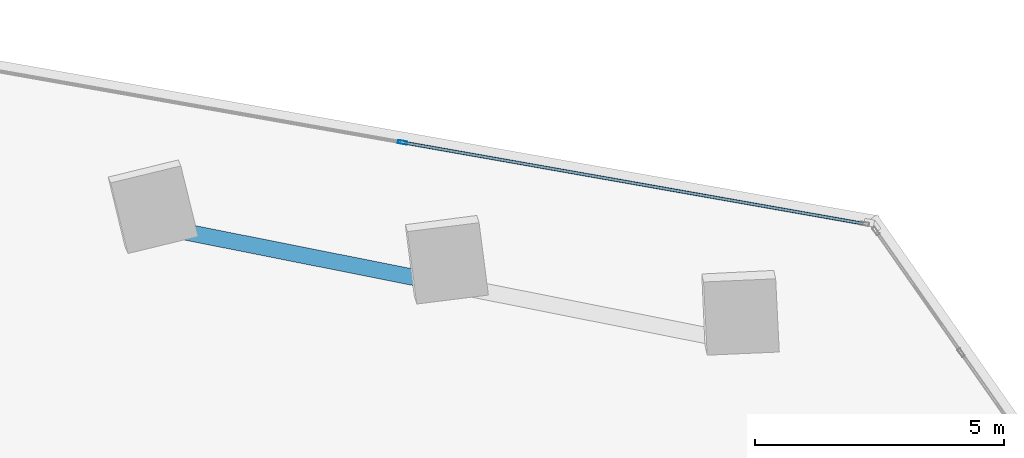
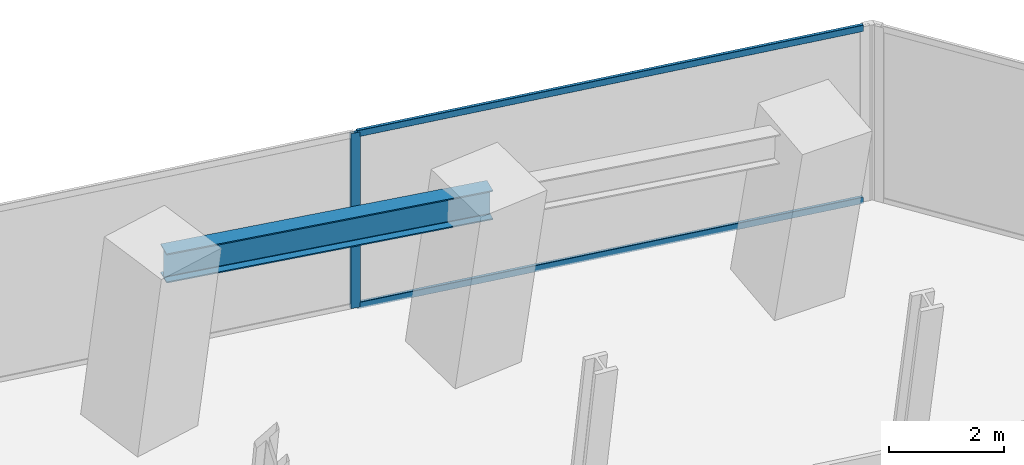
# One storey, part 12 of 24: 3 members, 1 beam, 1 element without a shape of its own.
"""IFC4 building model written with IfcOpenShell, lengths in metres."""

from ifc_helpers import new_model, si_unit, direction, frame, origin, origin_2d, place, context, subcontext, project, spatial, hollow_rectangle, i_section, extrude, source, transform, mapped, material, material_profile, profile_set, type_object, element, aggregate, save


model = new_model("IFC4")

# Units and contexts
model_context = context("Model", 3, precision=1e-05, world=origin(), true_north=direction((0.0, 1.0)))
body_context = subcontext(model_context, "Body", "Model", "MODEL_VIEW")
ifc_project = project(units=[si_unit("LENGTHUNIT", "METRE"), si_unit("AREAUNIT", "SQUARE_METRE"), si_unit("VOLUMEUNIT", "CUBIC_METRE"), si_unit("PLANEANGLEUNIT", "RADIAN"), si_unit("MASSUNIT", "GRAM", prefix="KILO")], contexts=[model_context])

# Site, building, storey
site_placement = place(None, origin())
site = spatial("IfcSite", under=ifc_project, at=site_placement, CompositionType="ELEMENT")
building_placement = place(site_placement, origin())
building = spatial("IfcBuilding", under=site, at=building_placement, Name="Torre Montelarca", CompositionType="ELEMENT")
storey_placement = place(building_placement, frame((0.0, 0.0, 79.0)))
storey = spatial("IfcBuildingStorey", under=building, at=storey_placement, Name="L17", CompositionType="ELEMENT", Elevation=79.0)

# Beam
ifc_material_1 = material(Name="Steel ASTM A992 Grade 50", Category="steel")
ifc_material_profile_1 = material_profile(ifc_material_1, i_section(OverallWidth=0.326904296875, OverallDepth=0.6220703125, WebThickness=0.015380859375, FlangeThickness=0.0244140625, FilletRadius=0.014892578125, at=origin_2d()), Name="W610X195", Category="steel")
ifc_profile_set_1 = profile_set([ifc_material_profile_1], Name="Steel ASTM A992 Grade 50")
beam_type = type_object("IfcBeamType", Name="BM-G-W610H", PredefinedType="BEAM", material=ifc_profile_set_1)
shared_shape_1 = source(origin(), body_context, "Body", "SweptSolid", [
    extrude(i_section(OverallWidth=0.326904296875, OverallDepth=0.6220703125, WebThickness=0.015380859375, FlangeThickness=0.0244140625, FilletRadius=0.014892578125, at=origin_2d()), origin(), (0.0, 0.0, 1.0), 6.0),
])
beam_placement = place(storey_placement, frame((44.33740234375, 41.731689453125, 3.64892578125), z_axis=(0.980782039141, -0.195106616233, 0.0), x_axis=(0.195106616233, 0.980782039141, 0.0)))
element("IfcBeam", 1, at=beam_placement, inside=storey, type_object=beam_type, Name="L17 Grid Girder X 42.0-48.0 at Y=46.0", PredefinedType="BEAM", context=body_context, shape_type="MappedRepresentation", body=[
    mapped(shared_shape_1, transform((0.0, 0.0, 0.0), scale=1.0)),
])

# Curtain wall, members
ifc_material_2 = material(Name="Insulated low-E laminated glass", Category="glass")
curtain_wall_type = type_object("IfcCurtainWallType", Name="CW-SYS-Z1", PredefinedType="USERDEFINED", material=ifc_material_2)
curtain_wall_placement = place(storey_placement, origin())
curtain_wall = element("IfcCurtainWall", 2, at=curtain_wall_placement, inside=storey, type_object=curtain_wall_type, Name="L17 Curtain Wall Run CW-T3-L17-E08-B1", ObjectType="UNITISED GLAZING", PredefinedType="USERDEFINED")
ifc_material_3 = material(Name="Anodised aluminium AA 6063-T6", Category="aluminium")
ifc_material_profile_2 = material_profile(ifc_material_3, hollow_rectangle(XDim=0.06494140625, YDim=0.139892578125, WallThickness=0.00390625, InnerFilletRadius=0.00390625, OuterFilletRadius=0.008056640625, at=origin_2d()), Name="ALU65X140X4", Category="aluminium")
ifc_profile_set_2 = profile_set([ifc_material_profile_2], Name="Anodised aluminium AA 6063-T6")
member_type_1 = type_object("IfcMemberType", Name="CWT-ALU140", PredefinedType="USERDEFINED", material=ifc_profile_set_2)
shared_shape_2 = source(origin(), body_context, "Body", "SweptSolid", [
    extrude(hollow_rectangle(XDim=0.06494140625, YDim=0.139892578125, WallThickness=0.00390625, InnerFilletRadius=0.00390625, OuterFilletRadius=0.008056640625, at=origin_2d()), origin(), (0.0, 0.0, 1.0), 9.372802734375),
])
member_1_placement = place(storey_placement, frame((58.43310546875, 41.8056640625, 0.032470703125), z_axis=(-0.984805839731, 0.173659028076, 0.0), x_axis=(-0.173659028076, -0.984805839731, 0.0)))
member_1 = element("IfcMember", 3, at=member_1_placement, type_object=member_type_1, Name="CW transom 1.1", ObjectType="TRANSOM", PredefinedType="USERDEFINED", context=body_context, shape_type="MappedRepresentation", body=[
    mapped(shared_shape_2, transform((0.0, 0.0, 0.0), scale=1.0)),
])
member_2_placement = place(storey_placement, frame((58.43310546875, 41.8056640625, 3.6875), z_axis=(-0.984805839731, 0.173659028076, 0.0), x_axis=(-0.173659028076, -0.984805839731, 0.0)))
member_2 = element("IfcMember", 4, at=member_2_placement, type_object=member_type_1, Name="CW transom 1.2", ObjectType="TRANSOM", PredefinedType="USERDEFINED", context=body_context, shape_type="MappedRepresentation", body=[
    mapped(shared_shape_2, transform((0.0, 0.0, 0.0), scale=1.0)),
])
ifc_material_profile_3 = material_profile(ifc_material_3, hollow_rectangle(XDim=0.06494140625, YDim=0.179931640625, WallThickness=0.00390625, InnerFilletRadius=0.00390625, OuterFilletRadius=0.008056640625, at=origin_2d()), Name="ALU65X180X4", Category="aluminium")
ifc_profile_set_3 = profile_set([ifc_material_profile_3], Name="Anodised aluminium AA 6063-T6")
member_type_2 = type_object("IfcMemberType", Name="CWM-ALU180", PredefinedType="MULLION", material=ifc_profile_set_3)
shared_shape_3 = source(origin(), body_context, "Body", "SweptSolid", [
    extrude(hollow_rectangle(XDim=0.06494140625, YDim=0.179931640625, WallThickness=0.00390625, InnerFilletRadius=0.00390625, OuterFilletRadius=0.008056640625, at=origin_2d()), origin(), (0.0, 0.0, 1.0), 3.719970703125),
])
member_3_placement = place(storey_placement, frame((49.170654296875, 43.43896484375, 0.0), z_axis=(0.0, 0.0, 1.0), x_axis=(-0.173647689249, -0.984807839133, 0.0)))
member_3 = element("IfcMember", 5, at=member_3_placement, type_object=member_type_2, Name="CW mullion 2", PredefinedType="MULLION", context=body_context, shape_type="MappedRepresentation", body=[
    mapped(shared_shape_3, transform((0.0, 0.0, 0.0), scale=1.0)),
])
aggregate(curtain_wall, [member_3, member_1, member_2])

save(model, "model.ifc")
